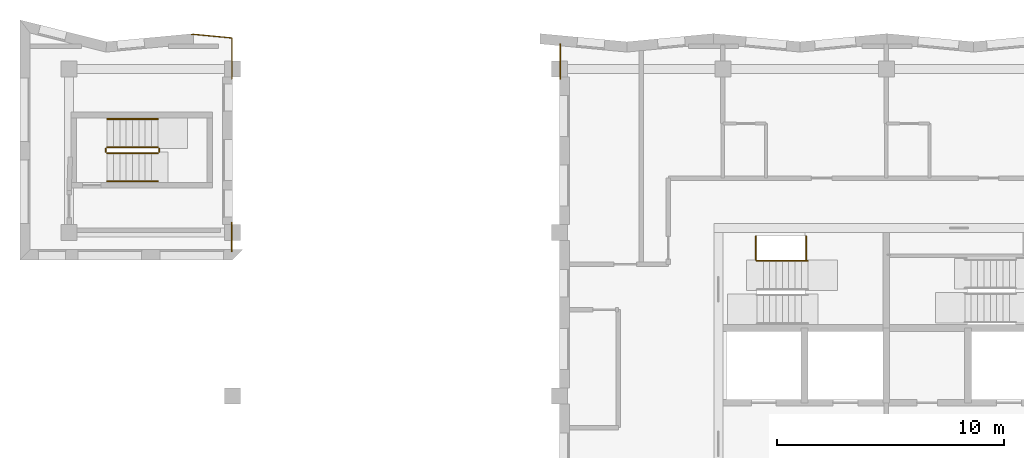
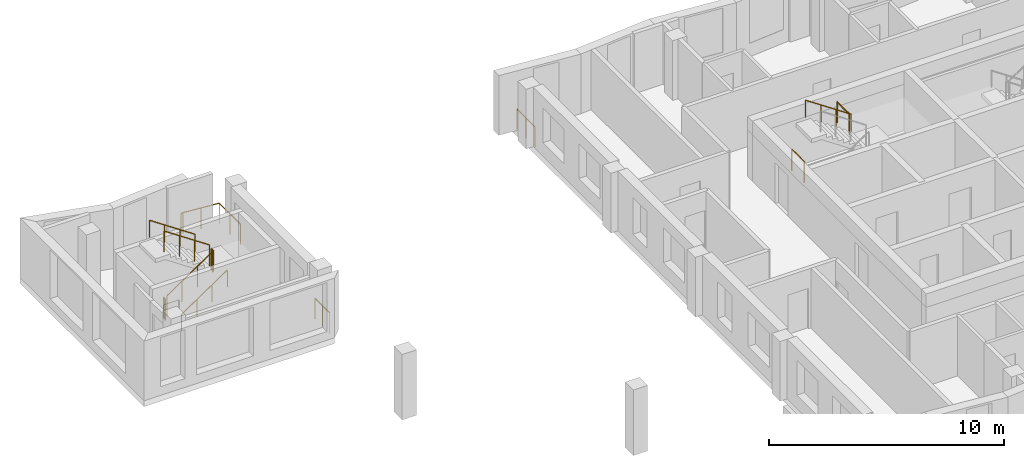
# One storey, part 10 of 12: 12 railings.
"""IFC4 building model written with IfcOpenShell, lengths in metres."""

from ifc_helpers import new_model, si_unit, direction, frame, origin, origin_2d, place, context, subcontext, project, spatial, circle, extrude, material, type_object, element, save


model = new_model("IFC4")

# Units and contexts
model_context = context("Model", 3, precision=1e-05, world=origin(), true_north=direction((0.0, 1.0)))
body_context = subcontext(model_context, "Body", "Model", "MODEL_VIEW")
ifc_project = project(units=[si_unit("LENGTHUNIT", "METRE"), si_unit("AREAUNIT", "SQUARE_METRE"), si_unit("VOLUMEUNIT", "CUBIC_METRE"), si_unit("PLANEANGLEUNIT", "RADIAN"), si_unit("MASSUNIT", "GRAM", prefix="KILO")], contexts=[model_context])

# Site, building, storey
site_placement = place(None, origin())
site = spatial("IfcSite", under=ifc_project, at=site_placement, CompositionType="ELEMENT")
building_placement = place(site_placement, origin())
building = spatial("IfcBuilding", under=site, at=building_placement, Name="Windrow Commons", CompositionType="ELEMENT")
storey_placement = place(building_placement, frame((0.0, 0.0, 250.6)))
storey = spatial("IfcBuildingStorey", under=building, at=storey_placement, Name="L68", CompositionType="ELEMENT", Elevation=250.6)

# Railings
ifc_material_1 = material(Name="Steel S355", Category="steel")
railing_type_1 = type_object("IfcRailingType", Name="Core stair guard 1100", PredefinedType="GUARDRAIL", material=ifc_material_1)
for number, where, name in (
    (1, (59.05, 63.6, 0.0), "L68 ST-A1 stair guard 3"),
    (2, (61.27, 63.6, 1.7), "L68 ST-A1 stair guard 4"),
):
    element("IfcRailing", number, at=place(storey_placement, frame(where)), inside=storey, type_object=railing_type_1, Name=name, PredefinedType="GUARDRAIL", context=body_context, shape_type="SweptSolid", body=[
        extrude(circle(Radius=0.024, at=origin_2d()), frame((0.0, 0.0, 1.076), z_axis=(0.0, 1.0, 0.0), x_axis=(-1.0, 0.0, 0.0)), (0.0, 0.0, 1.0), 1.03),
        extrude(circle(Radius=0.021, at=origin_2d()), origin(), (0.0, 0.0, 1.0), 1.052),
        extrude(circle(Radius=0.021, at=origin_2d()), frame((0.0, 1.03, 0.0)), (0.0, 0.0, 1.0), 1.052),
    ])
railing_1_placement = place(storey_placement, frame((30.475, 68.3, 0.1889)))
element("IfcRailing", 3, at=railing_1_placement, inside=storey, type_object=railing_type_1, Name="L68 ST-W stair guard 1", PredefinedType="GUARDRAIL", context=body_context, shape_type="SweptSolid", body=[
    extrude(circle(Radius=0.024, at=origin_2d()), frame((0.0, 0.0, 1.076), z_axis=(0.8290030985, 0.0, 0.5592440099), x_axis=(0.0, 1.0, 0.0)), (0.0, 0.0, 1.0), 2.702),
    extrude(circle(Radius=0.021, at=origin_2d()), origin(), (0.0, 0.0, 1.0), 1.052),
    extrude(circle(Radius=0.021, at=origin_2d()), frame((0.7467, 0.0, 0.5037)), (0.0, 0.0, 1.0), 1.052),
    extrude(circle(Radius=0.021, at=origin_2d()), frame((1.4933, 0.0, 1.0074)), (0.0, 0.0, 1.0), 1.052),
    extrude(circle(Radius=0.021, at=origin_2d()), frame((2.24, 0.0, 1.5111)), (0.0, 0.0, 1.0), 1.052),
])
railing_2_placement = place(storey_placement, frame((32.765, 68.35, 1.7)))
element("IfcRailing", 4, at=railing_2_placement, inside=storey, type_object=railing_type_1, Name="L68 ST-W stair guard 2", PredefinedType="GUARDRAIL", context=body_context, shape_type="SweptSolid", body=[
    extrude(circle(Radius=0.024, at=origin_2d()), frame((0.0, 0.0, 1.076), z_axis=(0.0, 1.0, 0.0), x_axis=(-1.0, 0.0, 0.0)), (0.0, 0.0, 1.0), 0.15),
    extrude(circle(Radius=0.021, at=origin_2d()), origin(), (0.0, 0.0, 1.0), 1.052),
    extrude(circle(Radius=0.021, at=origin_2d()), frame((0.0, 0.15, 0.0)), (0.0, 0.0, 1.0), 1.052),
])
railing_3_placement = place(storey_placement, frame((32.715, 68.55, 1.8889)))
element("IfcRailing", 5, at=railing_3_placement, inside=storey, type_object=railing_type_1, Name="L68 ST-W stair guard 3", PredefinedType="GUARDRAIL", context=body_context, shape_type="SweptSolid", body=[
    extrude(circle(Radius=0.024, at=origin_2d()), frame((0.0, 0.0, 1.076), z_axis=(-0.8290030985, 0.0, 0.5592440099), x_axis=(0.0, -1.0, 0.0)), (0.0, 0.0, 1.0), 2.702),
    extrude(circle(Radius=0.021, at=origin_2d()), origin(), (0.0, 0.0, 1.0), 1.052),
    extrude(circle(Radius=0.021, at=origin_2d()), frame((-0.7467, 0.0, 0.5037)), (0.0, 0.0, 1.0), 1.052),
    extrude(circle(Radius=0.021, at=origin_2d()), frame((-1.4933, 0.0, 1.0074)), (0.0, 0.0, 1.0), 1.052),
    extrude(circle(Radius=0.021, at=origin_2d()), frame((-2.24, 0.0, 1.5111)), (0.0, 0.0, 1.0), 1.052),
])
railing_4_placement = place(storey_placement, frame((30.425, 68.35, 0.0)))
element("IfcRailing", 6, at=railing_4_placement, inside=storey, type_object=railing_type_1, Name="L68 ST-W stair guard 4", PredefinedType="GUARDRAIL", context=body_context, shape_type="SweptSolid", body=[
    extrude(circle(Radius=0.024, at=origin_2d()), frame((0.0, 0.0, 1.076), z_axis=(0.0, 1.0, 0.0), x_axis=(-1.0, 0.0, 0.0)), (0.0, 0.0, 1.0), 0.15),
    extrude(circle(Radius=0.021, at=origin_2d()), origin(), (0.0, 0.0, 1.0), 1.052),
    extrude(circle(Radius=0.021, at=origin_2d()), frame((0.0, 0.15, 0.0)), (0.0, 0.0, 1.0), 1.052),
])
ifc_material_2 = material(Name="Steel S355", Category="steel")
railing_type_2 = type_object("IfcRailingType", Name="Core stair handrail 900", PredefinedType="HANDRAIL", material=ifc_material_2)
railing_5_placement = place(storey_placement, frame((61.34, 63.55, 1.8889)))
element("IfcRailing", 7, at=railing_5_placement, inside=storey, type_object=railing_type_2, Name="L68 ST-A1 stair handrail 2", PredefinedType="HANDRAIL", context=body_context, shape_type="SweptSolid", body=[
    extrude(circle(Radius=0.024, at=origin_2d()), frame((0.0, 0.0, 0.876), z_axis=(-0.8290030985, 0.0, 0.5592440099), x_axis=(0.0, -1.0, 0.0)), (0.0, 0.0, 1.0), 2.702),
    extrude(circle(Radius=0.021, at=origin_2d()), origin(), (0.0, 0.0, 1.0), 0.852),
    extrude(circle(Radius=0.021, at=origin_2d()), frame((-0.7467, 0.0, 0.5037)), (0.0, 0.0, 1.0), 0.852),
    extrude(circle(Radius=0.021, at=origin_2d()), frame((-1.4933, 0.0, 1.0074)), (0.0, 0.0, 1.0), 0.852),
    extrude(circle(Radius=0.021, at=origin_2d()), frame((-2.24, 0.0, 1.5111)), (0.0, 0.0, 1.0), 0.852),
])
railing_6_placement = place(storey_placement, frame((30.475, 67.05, 0.1889)))
element("IfcRailing", 8, at=railing_6_placement, inside=storey, type_object=railing_type_2, Name="L68 ST-W stair handrail 1", PredefinedType="HANDRAIL", context=body_context, shape_type="SweptSolid", body=[
    extrude(circle(Radius=0.024, at=origin_2d()), frame((0.0, 0.0, 0.876), z_axis=(0.8290030985, 0.0, 0.5592440099), x_axis=(0.0, 1.0, 0.0)), (0.0, 0.0, 1.0), 2.702),
    extrude(circle(Radius=0.021, at=origin_2d()), origin(), (0.0, 0.0, 1.0), 0.852),
    extrude(circle(Radius=0.021, at=origin_2d()), frame((0.7467, 0.0, 0.5037)), (0.0, 0.0, 1.0), 0.852),
    extrude(circle(Radius=0.021, at=origin_2d()), frame((1.4933, 0.0, 1.0074)), (0.0, 0.0, 1.0), 0.852),
    extrude(circle(Radius=0.021, at=origin_2d()), frame((2.24, 0.0, 1.5111)), (0.0, 0.0, 1.0), 0.852),
])
railing_7_placement = place(storey_placement, frame((32.715, 69.8, 1.8889)))
element("IfcRailing", 9, at=railing_7_placement, inside=storey, type_object=railing_type_2, Name="L68 ST-W stair handrail 2", PredefinedType="HANDRAIL", context=body_context, shape_type="SweptSolid", body=[
    extrude(circle(Radius=0.024, at=origin_2d()), frame((0.0, 0.0, 0.876), z_axis=(-0.8290030985, 0.0, 0.5592440099), x_axis=(0.0, -1.0, 0.0)), (0.0, 0.0, 1.0), 2.702),
    extrude(circle(Radius=0.021, at=origin_2d()), origin(), (0.0, 0.0, 1.0), 0.852),
    extrude(circle(Radius=0.021, at=origin_2d()), frame((-0.7467, 0.0, 0.5037)), (0.0, 0.0, 1.0), 0.852),
    extrude(circle(Radius=0.021, at=origin_2d()), frame((-1.4933, 0.0, 1.0074)), (0.0, 0.0, 1.0), 0.852),
    extrude(circle(Radius=0.021, at=origin_2d()), frame((-2.24, 0.0, 1.5111)), (0.0, 0.0, 1.0), 0.852),
])
ifc_material_3 = material(Name="Stainless steel S316 balustrade with toughened glass infill", Category="steel")
railing_type_3 = type_object("IfcRailingType", Name="Terrace guard 1100", PredefinedType="BALUSTRADE", material=ifc_material_3)
railing_8_placement = place(storey_placement, frame((50.43, 71.57, 0.0)))
element("IfcRailing", 10, at=railing_8_placement, inside=storey, type_object=railing_type_3, Name="Edge guard L68 2", PredefinedType="BALUSTRADE", context=body_context, shape_type="SweptSolid", body=[
    extrude(circle(Radius=0.025, at=origin_2d()), frame((0.0, 0.0, 1.075), z_axis=(0.0, 1.0, 0.0), x_axis=(-1.0, 0.0, 0.0)), (0.0, 0.0, 1.0), 1.5345),
    extrude(circle(Radius=0.02, at=origin_2d()), origin(), (0.0, 0.0, 1.0), 1.05),
    extrude(circle(Radius=0.02, at=origin_2d()), frame((0.0, 0.7673, 0.0)), (0.0, 0.0, 1.0), 1.05),
    extrude(circle(Radius=0.02, at=origin_2d()), frame((0.0, 1.5345, 0.0)), (0.0, 0.0, 1.0), 1.05),
])
railing_9_placement = place(storey_placement, frame((34.1821, 73.522, 0.0)))
element("IfcRailing", 11, at=railing_9_placement, inside=storey, type_object=railing_type_3, Name="Edge guard L68 3", PredefinedType="BALUSTRADE", context=body_context, shape_type="SweptSolid", body=[
    extrude(circle(Radius=0.025, at=origin_2d()), frame((0.0, 0.0, 1.075), z_axis=(0.9955002565, 0.0947588479, 0.0), x_axis=(-0.0947588479, 0.9955002565, 0.0)), (0.0, 0.0, 1.0), 0.0939),
    extrude(circle(Radius=0.025, at=origin_2d()), frame((0.0935, 0.0089, 1.075), z_axis=(0.9955602005, -0.0941269736, 0.0), x_axis=(0.0941269736, 0.9955602005, 0.0)), (0.0, 0.0, 1.0), 1.702),
    extrude(circle(Radius=0.025, at=origin_2d()), frame((1.7879, -0.1513, 1.075), z_axis=(0.0, -1.0, 0.0), x_axis=(1.0, 0.0, 0.0)), (0.0, 0.0, 1.0), 1.8007),
    extrude(circle(Radius=0.02, at=origin_2d()), origin(), (0.0, 0.0, 1.0), 1.05),
    extrude(circle(Radius=0.02, at=origin_2d()), frame((0.0935, 0.0089, 0.0)), (0.0, 0.0, 1.0), 1.05),
    extrude(circle(Radius=0.02, at=origin_2d()), frame((0.9407, -0.0712, 0.0)), (0.0, 0.0, 1.0), 1.05),
    extrude(circle(Radius=0.02, at=origin_2d()), frame((1.7879, -0.1513, 0.0)), (0.0, 0.0, 1.0), 1.05),
    extrude(circle(Radius=0.02, at=origin_2d()), frame((1.7879, -1.0517, 0.0)), (0.0, 0.0, 1.0), 1.05),
    extrude(circle(Radius=0.02, at=origin_2d()), frame((1.7879, -1.952, 0.0)), (0.0, 0.0, 1.0), 1.05),
])
railing_10_placement = place(storey_placement, frame((35.97, 65.23, 0.0)))
element("IfcRailing", 12, at=railing_10_placement, inside=storey, type_object=railing_type_3, Name="Edge guard L68 4", PredefinedType="BALUSTRADE", context=body_context, shape_type="SweptSolid", body=[
    extrude(circle(Radius=0.025, at=origin_2d()), frame((0.0, 0.0, 1.075), z_axis=(0.0, -1.0, 0.0), x_axis=(1.0, 0.0, 0.0)), (0.0, 0.0, 1.0), 1.26),
    extrude(circle(Radius=0.02, at=origin_2d()), origin(), (0.0, 0.0, 1.0), 1.05),
    extrude(circle(Radius=0.02, at=origin_2d()), frame((0.0, -0.63, 0.0)), (0.0, 0.0, 1.0), 1.05),
    extrude(circle(Radius=0.02, at=origin_2d()), frame((0.0, -1.26, 0.0)), (0.0, 0.0, 1.0), 1.05),
])

save(model, "model.ifc")
